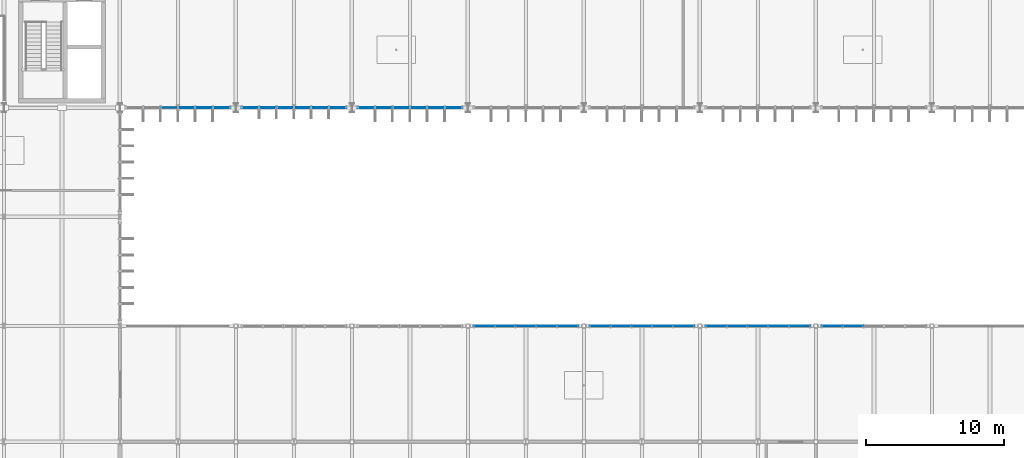
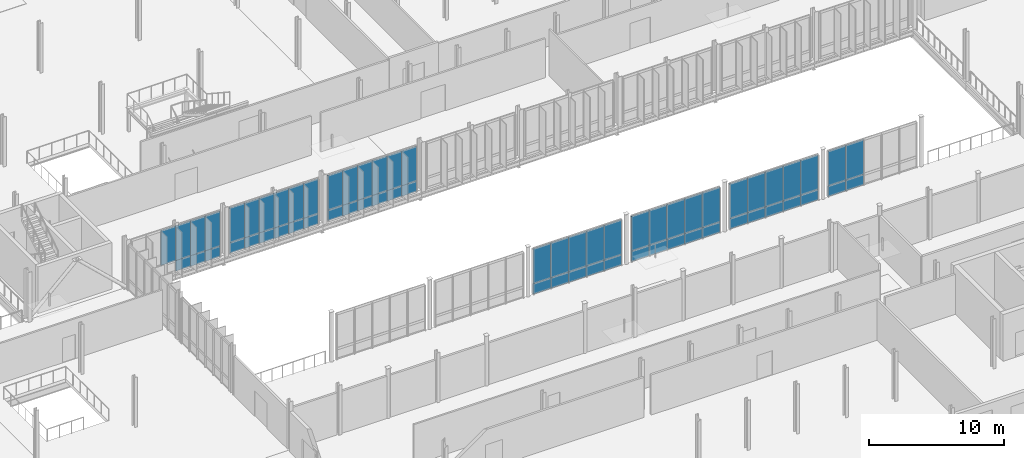
# One storey, part 88 of 139: 65 plates, 7 elements without a shape of their own.
"""IFC4 building model written with IfcOpenShell, lengths in metres."""

from ifc_helpers import new_model, si_unit, derived_unit, direction, frame, origin, origin_2d, place, context, subcontext, project, spatial, rectangle, extrude, material, layer, layer_set, type_object, element, aggregate, save


model = new_model("IFC4")

# Units and contexts
model_context = context("Model", 3, precision=1e-05, world=origin(), true_north=direction((0.0, 1.0)))
body_context = subcontext(model_context, "Body", "Model", "MODEL_VIEW")
ifc_project = project(units=[si_unit("LENGTHUNIT", "METRE"), si_unit("AREAUNIT", "SQUARE_METRE"), si_unit("VOLUMEUNIT", "CUBIC_METRE"), si_unit("PLANEANGLEUNIT", "RADIAN"), si_unit("MASSUNIT", "GRAM", prefix="KILO"), derived_unit("THERMALTRANSMITTANCEUNIT", [(si_unit("MASSUNIT", "GRAM", prefix="KILO"), 1), (si_unit("TIMEUNIT", "SECOND"), -3), (si_unit("THERMODYNAMICTEMPERATUREUNIT", "KELVIN"), -1)])], contexts=[model_context])

# Site, building, storey
site_placement = place(None, origin())
site = spatial("IfcSite", under=ifc_project, at=site_placement, CompositionType="ELEMENT")
building_placement = place(site_placement, origin())
building = spatial("IfcBuilding", under=site, at=building_placement, Name="Makaiwela Harbour Ferry Terminal", CompositionType="ELEMENT")
storey_placement = place(building_placement, frame((0.0, 0.0, 5.10009765625)))
storey = spatial("IfcBuildingStorey", under=building, at=storey_placement, Name="L01", CompositionType="ELEMENT", Elevation=5.10009765625)

# Curtain wall, plates
ifc_material_1 = material(Name="Marine anodised aluminium 6063-T6", Category="aluminium")
ifc_layer_1 = layer(ifc_material_1, 0.199951171875)
ifc_layer_set_1 = layer_set([ifc_layer_1], Name="Marine anodised aluminium 6063-T6")
curtain_wall_type = type_object("IfcCurtainWallType", Name="ENV-CW-08", PredefinedType="USERDEFINED", material=ifc_layer_set_1)
curtain_wall_1_placement = place(storey_placement, origin())
curtain_wall_1 = element("IfcCurtainWall", 1, at=curtain_wall_1_placement, inside=storey, type_object=curtain_wall_type, Name="Unitised Curtain Wall CWA-074", ObjectType="UNITIZED CURTAIN WALL", PredefinedType="USERDEFINED")
ifc_material_2 = material(Name="Laminated hurricane-impact low-E insulated glazing", Category="glass")
ifc_layer_2 = layer(ifc_material_2, 0.031982421875)
ifc_layer_set_2 = layer_set([ifc_layer_2], Name="Laminated hurricane-impact low-E insulated glazing")
plate_type_1 = type_object("IfcPlateType", Name="CW-PNL-G12", PredefinedType="CURTAIN_PANEL", material=ifc_layer_set_2)
plate_1_placement = place(storey_placement, frame((78.75, 49.39990234375, 0.949951171875), z_axis=(0.0, 0.0, 1.0), x_axis=(-1.0, 0.0, 0.0)))
plate_1 = element("IfcPlate", 2, at=plate_1_placement, type_object=plate_type_1, Name="Glazed Vision Panel CWA-074-1G", PredefinedType="CURTAIN_PANEL", context=body_context, shape_type="SweptSolid", body=[
    extrude(rectangle(XDim=1.260009765625, YDim=0.031982421875, at=origin_2d()), origin(), (0.0, 0.0, 1.0), 3.14990234375),
])
plate_2_placement = place(storey_placement, frame((77.489990234375, 49.39990234375, 0.949951171875), z_axis=(0.0, 0.0, 1.0), x_axis=(-1.0, 0.0, 0.0)))
plate_2 = element("IfcPlate", 3, at=plate_2_placement, type_object=plate_type_1, Name="Glazed Vision Panel CWA-074-2G", PredefinedType="CURTAIN_PANEL", context=body_context, shape_type="SweptSolid", body=[
    extrude(rectangle(XDim=1.260009765625, YDim=0.031982421875, at=origin_2d()), origin(), (0.0, 0.0, 1.0), 3.14990234375),
])
plate_3_placement = place(storey_placement, frame((76.22998046875, 49.39990234375, 0.949951171875), z_axis=(0.0, 0.0, 1.0), x_axis=(-1.0, 0.0, 0.0)))
plate_3 = element("IfcPlate", 4, at=plate_3_placement, type_object=plate_type_1, Name="Glazed Vision Panel CWA-074-3G", PredefinedType="CURTAIN_PANEL", context=body_context, shape_type="SweptSolid", body=[
    extrude(rectangle(XDim=1.260009765625, YDim=0.031982421875, at=origin_2d()), origin(), (0.0, 0.0, 1.0), 3.14990234375),
])
plate_4_placement = place(storey_placement, frame((74.969970703125, 49.39990234375, 0.949951171875), z_axis=(0.0, 0.0, 1.0), x_axis=(-1.0, 0.0, 0.0)))
plate_4 = element("IfcPlate", 5, at=plate_4_placement, type_object=plate_type_1, Name="Glazed Vision Panel CWA-074-4G", PredefinedType="CURTAIN_PANEL", context=body_context, shape_type="SweptSolid", body=[
    extrude(rectangle(XDim=1.260009765625, YDim=0.031982421875, at=origin_2d()), origin(), (0.0, 0.0, 1.0), 3.14990234375),
])

curtain_wall_2_placement = place(storey_placement, origin())
curtain_wall_2 = element("IfcCurtainWall", 6, at=curtain_wall_2_placement, inside=storey, type_object=curtain_wall_type, Name="Unitised Curtain Wall CWA-078", ObjectType="UNITIZED CURTAIN WALL", PredefinedType="USERDEFINED")
plate_5_placement = place(storey_placement, frame((87.14990234375, 49.39990234375, 0.949951171875), z_axis=(0.0, 0.0, 1.0), x_axis=(-1.0, 0.0, 0.0)))
plate_5 = element("IfcPlate", 7, at=plate_5_placement, type_object=plate_type_1, Name="Glazed Vision Panel CWA-078-1G", PredefinedType="CURTAIN_PANEL", context=body_context, shape_type="SweptSolid", body=[
    extrude(rectangle(XDim=1.260009765625, YDim=0.031982421875, at=origin_2d()), origin(), (0.0, 0.0, 1.0), 3.14990234375),
])
plate_6_placement = place(storey_placement, frame((85.889892578125, 49.39990234375, 0.949951171875), z_axis=(0.0, 0.0, 1.0), x_axis=(-1.0, 0.0, 0.0)))
plate_6 = element("IfcPlate", 8, at=plate_6_placement, type_object=plate_type_1, Name="Glazed Vision Panel CWA-078-2G", PredefinedType="CURTAIN_PANEL", context=body_context, shape_type="SweptSolid", body=[
    extrude(rectangle(XDim=1.260009765625, YDim=0.031982421875, at=origin_2d()), origin(), (0.0, 0.0, 1.0), 3.14990234375),
])
plate_7_placement = place(storey_placement, frame((84.6298828125, 49.39990234375, 0.949951171875), z_axis=(0.0, 0.0, 1.0), x_axis=(-1.0, 0.0, 0.0)))
plate_7 = element("IfcPlate", 9, at=plate_7_placement, type_object=plate_type_1, Name="Glazed Vision Panel CWA-078-3G", PredefinedType="CURTAIN_PANEL", context=body_context, shape_type="SweptSolid", body=[
    extrude(rectangle(XDim=1.260009765625, YDim=0.031982421875, at=origin_2d()), origin(), (0.0, 0.0, 1.0), 3.14990234375),
])
plate_8_placement = place(storey_placement, frame((83.3701171875, 49.39990234375, 0.949951171875), z_axis=(0.0, 0.0, 1.0), x_axis=(-1.0, 0.0, 0.0)))
plate_8 = element("IfcPlate", 10, at=plate_8_placement, type_object=plate_type_1, Name="Glazed Vision Panel CWA-078-4G", PredefinedType="CURTAIN_PANEL", context=body_context, shape_type="SweptSolid", body=[
    extrude(rectangle(XDim=1.260009765625, YDim=0.031982421875, at=origin_2d()), origin(), (0.0, 0.0, 1.0), 3.14990234375),
])
plate_9_placement = place(storey_placement, frame((82.110107421875, 49.39990234375, 0.949951171875), z_axis=(0.0, 0.0, 1.0), x_axis=(-1.0, 0.0, 0.0)))
plate_9 = element("IfcPlate", 11, at=plate_9_placement, type_object=plate_type_1, Name="Glazed Vision Panel CWA-078-5G", PredefinedType="CURTAIN_PANEL", context=body_context, shape_type="SweptSolid", body=[
    extrude(rectangle(XDim=1.260009765625, YDim=0.031982421875, at=origin_2d()), origin(), (0.0, 0.0, 1.0), 3.14990234375),
])
plate_10_placement = place(storey_placement, frame((80.85009765625, 49.39990234375, 0.949951171875), z_axis=(0.0, 0.0, 1.0), x_axis=(-1.0, 0.0, 0.0)))
plate_10 = element("IfcPlate", 12, at=plate_10_placement, type_object=plate_type_1, Name="Glazed Vision Panel CWA-078-6G", PredefinedType="CURTAIN_PANEL", context=body_context, shape_type="SweptSolid", body=[
    extrude(rectangle(XDim=1.260009765625, YDim=0.031982421875, at=origin_2d()), origin(), (0.0, 0.0, 1.0), 3.14990234375),
])

curtain_wall_3_placement = place(storey_placement, origin())
curtain_wall_3 = element("IfcCurtainWall", 13, at=curtain_wall_3_placement, inside=storey, type_object=curtain_wall_type, Name="Unitised Curtain Wall CWA-080", ObjectType="UNITIZED CURTAIN WALL", PredefinedType="USERDEFINED")
plate_11_placement = place(storey_placement, frame((95.550048828125, 49.39990234375, 0.949951171875), z_axis=(0.0, 0.0, 1.0), x_axis=(-1.0, 0.0, 0.0)))
plate_11 = element("IfcPlate", 14, at=plate_11_placement, type_object=plate_type_1, Name="Glazed Vision Panel CWA-080-1G", PredefinedType="CURTAIN_PANEL", context=body_context, shape_type="SweptSolid", body=[
    extrude(rectangle(XDim=1.260009765625, YDim=0.031982421875, at=origin_2d()), origin(), (0.0, 0.0, 1.0), 3.14990234375),
])
plate_12_placement = place(storey_placement, frame((94.2900390625, 49.39990234375, 0.949951171875), z_axis=(0.0, 0.0, 1.0), x_axis=(-1.0, 0.0, 0.0)))
plate_12 = element("IfcPlate", 15, at=plate_12_placement, type_object=plate_type_1, Name="Glazed Vision Panel CWA-080-2G", PredefinedType="CURTAIN_PANEL", context=body_context, shape_type="SweptSolid", body=[
    extrude(rectangle(XDim=1.260009765625, YDim=0.031982421875, at=origin_2d()), origin(), (0.0, 0.0, 1.0), 3.14990234375),
])
plate_13_placement = place(storey_placement, frame((93.030029296875, 49.39990234375, 0.949951171875), z_axis=(0.0, 0.0, 1.0), x_axis=(-1.0, 0.0, 0.0)))
plate_13 = element("IfcPlate", 16, at=plate_13_placement, type_object=plate_type_1, Name="Glazed Vision Panel CWA-080-3G", PredefinedType="CURTAIN_PANEL", context=body_context, shape_type="SweptSolid", body=[
    extrude(rectangle(XDim=1.260009765625, YDim=0.031982421875, at=origin_2d()), origin(), (0.0, 0.0, 1.0), 3.14990234375),
])
plate_14_placement = place(storey_placement, frame((91.77001953125, 49.39990234375, 0.949951171875), z_axis=(0.0, 0.0, 1.0), x_axis=(-1.0, 0.0, 0.0)))
plate_14 = element("IfcPlate", 17, at=plate_14_placement, type_object=plate_type_1, Name="Glazed Vision Panel CWA-080-4G", PredefinedType="CURTAIN_PANEL", context=body_context, shape_type="SweptSolid", body=[
    extrude(rectangle(XDim=1.260009765625, YDim=0.031982421875, at=origin_2d()), origin(), (0.0, 0.0, 1.0), 3.14990234375),
])
plate_15_placement = place(storey_placement, frame((90.510009765625, 49.39990234375, 0.949951171875), z_axis=(0.0, 0.0, 1.0), x_axis=(-1.0, 0.0, 0.0)))
plate_15 = element("IfcPlate", 18, at=plate_15_placement, type_object=plate_type_1, Name="Glazed Vision Panel CWA-080-5G", PredefinedType="CURTAIN_PANEL", context=body_context, shape_type="SweptSolid", body=[
    extrude(rectangle(XDim=1.260009765625, YDim=0.031982421875, at=origin_2d()), origin(), (0.0, 0.0, 1.0), 3.14990234375),
])
plate_16_placement = place(storey_placement, frame((89.25, 49.39990234375, 0.949951171875), z_axis=(0.0, 0.0, 1.0), x_axis=(-1.0, 0.0, 0.0)))
plate_16 = element("IfcPlate", 19, at=plate_16_placement, type_object=plate_type_1, Name="Glazed Vision Panel CWA-080-6G", PredefinedType="CURTAIN_PANEL", context=body_context, shape_type="SweptSolid", body=[
    extrude(rectangle(XDim=1.260009765625, YDim=0.031982421875, at=origin_2d()), origin(), (0.0, 0.0, 1.0), 3.14990234375),
])

curtain_wall_4_placement = place(storey_placement, origin())
curtain_wall_4 = element("IfcCurtainWall", 20, at=curtain_wall_4_placement, inside=storey, type_object=curtain_wall_type, Name="Unitised Curtain Wall CWA-145", ObjectType="UNITIZED CURTAIN WALL", PredefinedType="USERDEFINED")
ifc_layer_3 = layer(ifc_material_2, 0.031982421875)
ifc_layer_set_3 = layer_set([ifc_layer_3], Name="Laminated hurricane-impact low-E insulated glazing")
plate_type_2 = type_object("IfcPlateType", Name="CW-PNL-G32", PredefinedType="CURTAIN_PANEL", material=ifc_layer_set_3)
plate_17_placement = place(storey_placement, frame((103.823974609375, 33.60009765625, 0.949951171875), z_axis=(0.0, 0.0, 1.0), x_axis=(-1.0, 0.0, 0.0)))
plate_17 = element("IfcPlate", 21, at=plate_17_placement, type_object=plate_type_2, Name="Glazed Vision Panel CWA-145-1G", PredefinedType="CURTAIN_PANEL", context=body_context, shape_type="SweptSolid", body=[
    extrude(rectangle(XDim=1.511962890625, YDim=0.031982421875, at=origin_2d()), origin(), (0.0, 0.0, 1.0), 3.14990234375),
])
plate_18_placement = place(storey_placement, frame((102.31201171875, 33.60009765625, 0.949951171875), z_axis=(0.0, 0.0, 1.0), x_axis=(-1.0, 0.0, 0.0)))
plate_18 = element("IfcPlate", 22, at=plate_18_placement, type_object=plate_type_2, Name="Glazed Vision Panel CWA-145-2G", PredefinedType="CURTAIN_PANEL", context=body_context, shape_type="SweptSolid", body=[
    extrude(rectangle(XDim=1.511962890625, YDim=0.031982421875, at=origin_2d()), origin(), (0.0, 0.0, 1.0), 3.14990234375),
])
plate_19_placement = place(storey_placement, frame((100.800048828125, 33.60009765625, 0.949951171875), z_axis=(0.0, 0.0, 1.0), x_axis=(-1.0, 0.0, 0.0)))
plate_19 = element("IfcPlate", 23, at=plate_19_placement, type_object=plate_type_2, Name="Glazed Vision Panel CWA-145-3G", PredefinedType="CURTAIN_PANEL", context=body_context, shape_type="SweptSolid", body=[
    extrude(rectangle(XDim=1.511962890625, YDim=0.031982421875, at=origin_2d()), origin(), (0.0, 0.0, 1.0), 3.14990234375),
])
plate_20_placement = place(storey_placement, frame((99.2880859375, 33.60009765625, 0.949951171875), z_axis=(0.0, 0.0, 1.0), x_axis=(-1.0, 0.0, 0.0)))
plate_20 = element("IfcPlate", 24, at=plate_20_placement, type_object=plate_type_2, Name="Glazed Vision Panel CWA-145-4G", PredefinedType="CURTAIN_PANEL", context=body_context, shape_type="SweptSolid", body=[
    extrude(rectangle(XDim=1.511962890625, YDim=0.031982421875, at=origin_2d()), origin(), (0.0, 0.0, 1.0), 3.14990234375),
])
plate_21_placement = place(storey_placement, frame((97.77587890625, 33.60009765625, 0.949951171875), z_axis=(0.0, 0.0, 1.0), x_axis=(-1.0, 0.0, 0.0)))
plate_21 = element("IfcPlate", 25, at=plate_21_placement, type_object=plate_type_2, Name="Glazed Vision Panel CWA-145-5G", PredefinedType="CURTAIN_PANEL", context=body_context, shape_type="SweptSolid", body=[
    extrude(rectangle(XDim=1.511962890625, YDim=0.031982421875, at=origin_2d()), origin(), (0.0, 0.0, 1.0), 3.14990234375),
])

curtain_wall_5_placement = place(storey_placement, origin())
curtain_wall_5 = element("IfcCurtainWall", 26, at=curtain_wall_5_placement, inside=storey, type_object=curtain_wall_type, Name="Unitised Curtain Wall CWA-147", ObjectType="UNITIZED CURTAIN WALL", PredefinedType="USERDEFINED")
plate_22_placement = place(storey_placement, frame((112.22412109375, 33.60009765625, 0.949951171875), z_axis=(0.0, 0.0, 1.0), x_axis=(-1.0, 0.0, 0.0)))
plate_22 = element("IfcPlate", 27, at=plate_22_placement, type_object=plate_type_2, Name="Glazed Vision Panel CWA-147-1G", PredefinedType="CURTAIN_PANEL", context=body_context, shape_type="SweptSolid", body=[
    extrude(rectangle(XDim=1.511962890625, YDim=0.031982421875, at=origin_2d()), origin(), (0.0, 0.0, 1.0), 3.14990234375),
])
plate_23_placement = place(storey_placement, frame((110.7119140625, 33.60009765625, 0.949951171875), z_axis=(0.0, 0.0, 1.0), x_axis=(-1.0, 0.0, 0.0)))
plate_23 = element("IfcPlate", 28, at=plate_23_placement, type_object=plate_type_2, Name="Glazed Vision Panel CWA-147-2G", PredefinedType="CURTAIN_PANEL", context=body_context, shape_type="SweptSolid", body=[
    extrude(rectangle(XDim=1.511962890625, YDim=0.031982421875, at=origin_2d()), origin(), (0.0, 0.0, 1.0), 3.14990234375),
])
plate_24_placement = place(storey_placement, frame((109.199951171875, 33.60009765625, 0.949951171875), z_axis=(0.0, 0.0, 1.0), x_axis=(-1.0, 0.0, 0.0)))
plate_24 = element("IfcPlate", 29, at=plate_24_placement, type_object=plate_type_2, Name="Glazed Vision Panel CWA-147-3G", PredefinedType="CURTAIN_PANEL", context=body_context, shape_type="SweptSolid", body=[
    extrude(rectangle(XDim=1.511962890625, YDim=0.031982421875, at=origin_2d()), origin(), (0.0, 0.0, 1.0), 3.14990234375),
])
plate_25_placement = place(storey_placement, frame((107.68798828125, 33.60009765625, 0.949951171875), z_axis=(0.0, 0.0, 1.0), x_axis=(-1.0, 0.0, 0.0)))
plate_25 = element("IfcPlate", 30, at=plate_25_placement, type_object=plate_type_2, Name="Glazed Vision Panel CWA-147-4G", PredefinedType="CURTAIN_PANEL", context=body_context, shape_type="SweptSolid", body=[
    extrude(rectangle(XDim=1.511962890625, YDim=0.031982421875, at=origin_2d()), origin(), (0.0, 0.0, 1.0), 3.14990234375),
])
plate_26_placement = place(storey_placement, frame((106.176025390625, 33.60009765625, 0.949951171875), z_axis=(0.0, 0.0, 1.0), x_axis=(-1.0, 0.0, 0.0)))
plate_26 = element("IfcPlate", 31, at=plate_26_placement, type_object=plate_type_2, Name="Glazed Vision Panel CWA-147-5G", PredefinedType="CURTAIN_PANEL", context=body_context, shape_type="SweptSolid", body=[
    extrude(rectangle(XDim=1.511962890625, YDim=0.031982421875, at=origin_2d()), origin(), (0.0, 0.0, 1.0), 3.14990234375),
])

curtain_wall_6_placement = place(storey_placement, origin())
curtain_wall_6 = element("IfcCurtainWall", 32, at=curtain_wall_6_placement, inside=storey, type_object=curtain_wall_type, Name="Unitised Curtain Wall CWA-149", ObjectType="UNITIZED CURTAIN WALL", PredefinedType="USERDEFINED")
plate_27_placement = place(storey_placement, frame((120.6240234375, 33.60009765625, 0.949951171875), z_axis=(0.0, 0.0, 1.0), x_axis=(-1.0, 0.0, 0.0)))
plate_27 = element("IfcPlate", 33, at=plate_27_placement, type_object=plate_type_2, Name="Glazed Vision Panel CWA-149-1G", PredefinedType="CURTAIN_PANEL", context=body_context, shape_type="SweptSolid", body=[
    extrude(rectangle(XDim=1.511962890625, YDim=0.031982421875, at=origin_2d()), origin(), (0.0, 0.0, 1.0), 3.14990234375),
])
plate_28_placement = place(storey_placement, frame((119.112060546875, 33.60009765625, 0.949951171875), z_axis=(0.0, 0.0, 1.0), x_axis=(-1.0, 0.0, 0.0)))
plate_28 = element("IfcPlate", 34, at=plate_28_placement, type_object=plate_type_2, Name="Glazed Vision Panel CWA-149-2G", PredefinedType="CURTAIN_PANEL", context=body_context, shape_type="SweptSolid", body=[
    extrude(rectangle(XDim=1.511962890625, YDim=0.031982421875, at=origin_2d()), origin(), (0.0, 0.0, 1.0), 3.14990234375),
])
plate_29_placement = place(storey_placement, frame((117.60009765625, 33.60009765625, 0.949951171875), z_axis=(0.0, 0.0, 1.0), x_axis=(-1.0, 0.0, 0.0)))
plate_29 = element("IfcPlate", 35, at=plate_29_placement, type_object=plate_type_2, Name="Glazed Vision Panel CWA-149-3G", PredefinedType="CURTAIN_PANEL", context=body_context, shape_type="SweptSolid", body=[
    extrude(rectangle(XDim=1.511962890625, YDim=0.031982421875, at=origin_2d()), origin(), (0.0, 0.0, 1.0), 3.14990234375),
])
plate_30_placement = place(storey_placement, frame((116.087890625, 33.60009765625, 0.949951171875), z_axis=(0.0, 0.0, 1.0), x_axis=(-1.0, 0.0, 0.0)))
plate_30 = element("IfcPlate", 36, at=plate_30_placement, type_object=plate_type_2, Name="Glazed Vision Panel CWA-149-4G", PredefinedType="CURTAIN_PANEL", context=body_context, shape_type="SweptSolid", body=[
    extrude(rectangle(XDim=1.511962890625, YDim=0.031982421875, at=origin_2d()), origin(), (0.0, 0.0, 1.0), 3.14990234375),
])
plate_31_placement = place(storey_placement, frame((114.575927734375, 33.60009765625, 0.949951171875), z_axis=(0.0, 0.0, 1.0), x_axis=(-1.0, 0.0, 0.0)))
plate_31 = element("IfcPlate", 37, at=plate_31_placement, type_object=plate_type_2, Name="Glazed Vision Panel CWA-149-5G", PredefinedType="CURTAIN_PANEL", context=body_context, shape_type="SweptSolid", body=[
    extrude(rectangle(XDim=1.511962890625, YDim=0.031982421875, at=origin_2d()), origin(), (0.0, 0.0, 1.0), 3.14990234375),
])

curtain_wall_7_placement = place(storey_placement, origin())
curtain_wall_7 = element("IfcCurtainWall", 38, at=curtain_wall_7_placement, inside=storey, type_object=curtain_wall_type, Name="Unitised Curtain Wall CWA-151", ObjectType="UNITIZED CURTAIN WALL", PredefinedType="USERDEFINED")
plate_32_placement = place(storey_placement, frame((124.488037109375, 33.60009765625, 0.949951171875), z_axis=(0.0, 0.0, 1.0), x_axis=(-1.0, 0.0, 0.0)))
plate_32 = element("IfcPlate", 39, at=plate_32_placement, type_object=plate_type_2, Name="Glazed Vision Panel CWA-151-4G", PredefinedType="CURTAIN_PANEL", context=body_context, shape_type="SweptSolid", body=[
    extrude(rectangle(XDim=1.511962890625, YDim=0.031982421875, at=origin_2d()), origin(), (0.0, 0.0, 1.0), 3.14990234375),
])
plate_33_placement = place(storey_placement, frame((122.97607421875, 33.60009765625, 0.949951171875), z_axis=(0.0, 0.0, 1.0), x_axis=(-1.0, 0.0, 0.0)))
plate_33 = element("IfcPlate", 40, at=plate_33_placement, type_object=plate_type_2, Name="Glazed Vision Panel CWA-151-5G", PredefinedType="CURTAIN_PANEL", context=body_context, shape_type="SweptSolid", body=[
    extrude(rectangle(XDim=1.511962890625, YDim=0.031982421875, at=origin_2d()), origin(), (0.0, 0.0, 1.0), 3.14990234375),
])

# Plate
ifc_material_3 = material(Name="Insulated marine aluminium spandrel panel", Category="aluminium")
ifc_layer_4 = layer(ifc_material_3, 0.048095703125)
ifc_layer_set_4 = layer_set([ifc_layer_4], Name="Insulated marine aluminium spandrel panel")
plate_type_3 = type_object("IfcPlateType", Name="CW-PNL-S11", PredefinedType="CURTAIN_PANEL", material=ifc_layer_set_4)
plate_34_placement = place(storey_placement, frame((78.75, 49.39990234375, 0.0), z_axis=(0.0, 0.0, 1.0), x_axis=(-1.0, 0.0, 0.0)))
plate_34 = element("IfcPlate", 41, at=plate_34_placement, type_object=plate_type_3, Name="Spandrel Panel CWA-074-1S", PredefinedType="CURTAIN_PANEL", context=body_context, shape_type="SweptSolid", body=[
    extrude(rectangle(XDim=1.260009765625, YDim=0.048095703125, at=origin_2d()), origin(), (0.0, 0.0, 1.0), 0.949951171875),
])

plate_35_placement = place(storey_placement, frame((77.489990234375, 49.39990234375, 0.0), z_axis=(0.0, 0.0, 1.0), x_axis=(-1.0, 0.0, 0.0)))
plate_35 = element("IfcPlate", 42, at=plate_35_placement, type_object=plate_type_3, Name="Spandrel Panel CWA-074-2S", PredefinedType="CURTAIN_PANEL", context=body_context, shape_type="SweptSolid", body=[
    extrude(rectangle(XDim=1.260009765625, YDim=0.048095703125, at=origin_2d()), origin(), (0.0, 0.0, 1.0), 0.949951171875),
])

plate_36_placement = place(storey_placement, frame((76.22998046875, 49.39990234375, 0.0), z_axis=(0.0, 0.0, 1.0), x_axis=(-1.0, 0.0, 0.0)))
plate_36 = element("IfcPlate", 43, at=plate_36_placement, type_object=plate_type_3, Name="Spandrel Panel CWA-074-3S", PredefinedType="CURTAIN_PANEL", context=body_context, shape_type="SweptSolid", body=[
    extrude(rectangle(XDim=1.260009765625, YDim=0.048095703125, at=origin_2d()), origin(), (0.0, 0.0, 1.0), 0.949951171875),
])

aggregate(curtain_wall_1, [plate_34, plate_1, plate_35, plate_2, plate_36, plate_3, plate_4])

plate_37_placement = place(storey_placement, frame((87.14990234375, 49.39990234375, 0.0), z_axis=(0.0, 0.0, 1.0), x_axis=(-1.0, 0.0, 0.0)))
plate_37 = element("IfcPlate", 44, at=plate_37_placement, type_object=plate_type_3, Name="Spandrel Panel CWA-078-1S", PredefinedType="CURTAIN_PANEL", context=body_context, shape_type="SweptSolid", body=[
    extrude(rectangle(XDim=1.260009765625, YDim=0.048095703125, at=origin_2d()), origin(), (0.0, 0.0, 1.0), 0.949951171875),
])

plate_38_placement = place(storey_placement, frame((85.889892578125, 49.39990234375, 0.0), z_axis=(0.0, 0.0, 1.0), x_axis=(-1.0, 0.0, 0.0)))
plate_38 = element("IfcPlate", 45, at=plate_38_placement, type_object=plate_type_3, Name="Spandrel Panel CWA-078-2S", PredefinedType="CURTAIN_PANEL", context=body_context, shape_type="SweptSolid", body=[
    extrude(rectangle(XDim=1.260009765625, YDim=0.048095703125, at=origin_2d()), origin(), (0.0, 0.0, 1.0), 0.949951171875),
])

plate_39_placement = place(storey_placement, frame((84.6298828125, 49.39990234375, 0.0), z_axis=(0.0, 0.0, 1.0), x_axis=(-1.0, 0.0, 0.0)))
plate_39 = element("IfcPlate", 46, at=plate_39_placement, type_object=plate_type_3, Name="Spandrel Panel CWA-078-3S", PredefinedType="CURTAIN_PANEL", context=body_context, shape_type="SweptSolid", body=[
    extrude(rectangle(XDim=1.260009765625, YDim=0.048095703125, at=origin_2d()), origin(), (0.0, 0.0, 1.0), 0.949951171875),
])

plate_40_placement = place(storey_placement, frame((83.3701171875, 49.39990234375, 0.0), z_axis=(0.0, 0.0, 1.0), x_axis=(-1.0, 0.0, 0.0)))
plate_40 = element("IfcPlate", 47, at=plate_40_placement, type_object=plate_type_3, Name="Spandrel Panel CWA-078-4S", PredefinedType="CURTAIN_PANEL", context=body_context, shape_type="SweptSolid", body=[
    extrude(rectangle(XDim=1.260009765625, YDim=0.048095703125, at=origin_2d()), origin(), (0.0, 0.0, 1.0), 0.949951171875),
])

plate_41_placement = place(storey_placement, frame((82.110107421875, 49.39990234375, 0.0), z_axis=(0.0, 0.0, 1.0), x_axis=(-1.0, 0.0, 0.0)))
plate_41 = element("IfcPlate", 48, at=plate_41_placement, type_object=plate_type_3, Name="Spandrel Panel CWA-078-5S", PredefinedType="CURTAIN_PANEL", context=body_context, shape_type="SweptSolid", body=[
    extrude(rectangle(XDim=1.260009765625, YDim=0.048095703125, at=origin_2d()), origin(), (0.0, 0.0, 1.0), 0.949951171875),
])

plate_42_placement = place(storey_placement, frame((80.85009765625, 49.39990234375, 0.0), z_axis=(0.0, 0.0, 1.0), x_axis=(-1.0, 0.0, 0.0)))
plate_42 = element("IfcPlate", 49, at=plate_42_placement, type_object=plate_type_3, Name="Spandrel Panel CWA-078-6S", PredefinedType="CURTAIN_PANEL", context=body_context, shape_type="SweptSolid", body=[
    extrude(rectangle(XDim=1.260009765625, YDim=0.048095703125, at=origin_2d()), origin(), (0.0, 0.0, 1.0), 0.949951171875),
])

aggregate(curtain_wall_2, [plate_37, plate_5, plate_38, plate_6, plate_39, plate_7, plate_40, plate_8, plate_41, plate_9, plate_42, plate_10])

plate_43_placement = place(storey_placement, frame((95.550048828125, 49.39990234375, 0.0), z_axis=(0.0, 0.0, 1.0), x_axis=(-1.0, 0.0, 0.0)))
plate_43 = element("IfcPlate", 50, at=plate_43_placement, type_object=plate_type_3, Name="Spandrel Panel CWA-080-1S", PredefinedType="CURTAIN_PANEL", context=body_context, shape_type="SweptSolid", body=[
    extrude(rectangle(XDim=1.260009765625, YDim=0.048095703125, at=origin_2d()), origin(), (0.0, 0.0, 1.0), 0.949951171875),
])

plate_44_placement = place(storey_placement, frame((94.2900390625, 49.39990234375, 0.0), z_axis=(0.0, 0.0, 1.0), x_axis=(-1.0, 0.0, 0.0)))
plate_44 = element("IfcPlate", 51, at=plate_44_placement, type_object=plate_type_3, Name="Spandrel Panel CWA-080-2S", PredefinedType="CURTAIN_PANEL", context=body_context, shape_type="SweptSolid", body=[
    extrude(rectangle(XDim=1.260009765625, YDim=0.048095703125, at=origin_2d()), origin(), (0.0, 0.0, 1.0), 0.949951171875),
])

plate_45_placement = place(storey_placement, frame((93.030029296875, 49.39990234375, 0.0), z_axis=(0.0, 0.0, 1.0), x_axis=(-1.0, 0.0, 0.0)))
plate_45 = element("IfcPlate", 52, at=plate_45_placement, type_object=plate_type_3, Name="Spandrel Panel CWA-080-3S", PredefinedType="CURTAIN_PANEL", context=body_context, shape_type="SweptSolid", body=[
    extrude(rectangle(XDim=1.260009765625, YDim=0.048095703125, at=origin_2d()), origin(), (0.0, 0.0, 1.0), 0.949951171875),
])

plate_46_placement = place(storey_placement, frame((91.77001953125, 49.39990234375, 0.0), z_axis=(0.0, 0.0, 1.0), x_axis=(-1.0, 0.0, 0.0)))
plate_46 = element("IfcPlate", 53, at=plate_46_placement, type_object=plate_type_3, Name="Spandrel Panel CWA-080-4S", PredefinedType="CURTAIN_PANEL", context=body_context, shape_type="SweptSolid", body=[
    extrude(rectangle(XDim=1.260009765625, YDim=0.048095703125, at=origin_2d()), origin(), (0.0, 0.0, 1.0), 0.949951171875),
])

plate_47_placement = place(storey_placement, frame((90.510009765625, 49.39990234375, 0.0), z_axis=(0.0, 0.0, 1.0), x_axis=(-1.0, 0.0, 0.0)))
plate_47 = element("IfcPlate", 54, at=plate_47_placement, type_object=plate_type_3, Name="Spandrel Panel CWA-080-5S", PredefinedType="CURTAIN_PANEL", context=body_context, shape_type="SweptSolid", body=[
    extrude(rectangle(XDim=1.260009765625, YDim=0.048095703125, at=origin_2d()), origin(), (0.0, 0.0, 1.0), 0.949951171875),
])

plate_48_placement = place(storey_placement, frame((89.25, 49.39990234375, 0.0), z_axis=(0.0, 0.0, 1.0), x_axis=(-1.0, 0.0, 0.0)))
plate_48 = element("IfcPlate", 55, at=plate_48_placement, type_object=plate_type_3, Name="Spandrel Panel CWA-080-6S", PredefinedType="CURTAIN_PANEL", context=body_context, shape_type="SweptSolid", body=[
    extrude(rectangle(XDim=1.260009765625, YDim=0.048095703125, at=origin_2d()), origin(), (0.0, 0.0, 1.0), 0.949951171875),
])

aggregate(curtain_wall_3, [plate_43, plate_11, plate_44, plate_12, plate_45, plate_13, plate_46, plate_14, plate_47, plate_15, plate_48, plate_16])

ifc_layer_5 = layer(ifc_material_3, 0.048095703125)
ifc_layer_set_5 = layer_set([ifc_layer_5], Name="Insulated marine aluminium spandrel panel")
plate_type_4 = type_object("IfcPlateType", Name="CW-PNL-S30", PredefinedType="CURTAIN_PANEL", material=ifc_layer_set_5)
plate_49_placement = place(storey_placement, frame((103.823974609375, 33.60009765625, 0.0), z_axis=(0.0, 0.0, 1.0), x_axis=(-1.0, 0.0, 0.0)))
plate_49 = element("IfcPlate", 56, at=plate_49_placement, type_object=plate_type_4, Name="Spandrel Panel CWA-145-1S", PredefinedType="CURTAIN_PANEL", context=body_context, shape_type="SweptSolid", body=[
    extrude(rectangle(XDim=1.511962890625, YDim=0.048095703125, at=origin_2d()), origin(), (0.0, 0.0, 1.0), 0.949951171875),
])

plate_50_placement = place(storey_placement, frame((102.31201171875, 33.60009765625, 0.0), z_axis=(0.0, 0.0, 1.0), x_axis=(-1.0, 0.0, 0.0)))
plate_50 = element("IfcPlate", 57, at=plate_50_placement, type_object=plate_type_4, Name="Spandrel Panel CWA-145-2S", PredefinedType="CURTAIN_PANEL", context=body_context, shape_type="SweptSolid", body=[
    extrude(rectangle(XDim=1.511962890625, YDim=0.048095703125, at=origin_2d()), origin(), (0.0, 0.0, 1.0), 0.949951171875),
])

plate_51_placement = place(storey_placement, frame((100.800048828125, 33.60009765625, 0.0), z_axis=(0.0, 0.0, 1.0), x_axis=(-1.0, 0.0, 0.0)))
plate_51 = element("IfcPlate", 58, at=plate_51_placement, type_object=plate_type_4, Name="Spandrel Panel CWA-145-3S", PredefinedType="CURTAIN_PANEL", context=body_context, shape_type="SweptSolid", body=[
    extrude(rectangle(XDim=1.511962890625, YDim=0.048095703125, at=origin_2d()), origin(), (0.0, 0.0, 1.0), 0.949951171875),
])

plate_52_placement = place(storey_placement, frame((99.2880859375, 33.60009765625, 0.0), z_axis=(0.0, 0.0, 1.0), x_axis=(-1.0, 0.0, 0.0)))
plate_52 = element("IfcPlate", 59, at=plate_52_placement, type_object=plate_type_4, Name="Spandrel Panel CWA-145-4S", PredefinedType="CURTAIN_PANEL", context=body_context, shape_type="SweptSolid", body=[
    extrude(rectangle(XDim=1.511962890625, YDim=0.048095703125, at=origin_2d()), origin(), (0.0, 0.0, 1.0), 0.949951171875),
])

plate_53_placement = place(storey_placement, frame((97.77587890625, 33.60009765625, 0.0), z_axis=(0.0, 0.0, 1.0), x_axis=(-1.0, 0.0, 0.0)))
plate_53 = element("IfcPlate", 60, at=plate_53_placement, type_object=plate_type_4, Name="Spandrel Panel CWA-145-5S", PredefinedType="CURTAIN_PANEL", context=body_context, shape_type="SweptSolid", body=[
    extrude(rectangle(XDim=1.511962890625, YDim=0.048095703125, at=origin_2d()), origin(), (0.0, 0.0, 1.0), 0.949951171875),
])

aggregate(curtain_wall_4, [plate_49, plate_17, plate_50, plate_18, plate_51, plate_19, plate_52, plate_20, plate_53, plate_21])

plate_54_placement = place(storey_placement, frame((112.22412109375, 33.60009765625, 0.0), z_axis=(0.0, 0.0, 1.0), x_axis=(-1.0, 0.0, 0.0)))
plate_54 = element("IfcPlate", 61, at=plate_54_placement, type_object=plate_type_4, Name="Spandrel Panel CWA-147-1S", PredefinedType="CURTAIN_PANEL", context=body_context, shape_type="SweptSolid", body=[
    extrude(rectangle(XDim=1.511962890625, YDim=0.048095703125, at=origin_2d()), origin(), (0.0, 0.0, 1.0), 0.949951171875),
])

plate_55_placement = place(storey_placement, frame((110.7119140625, 33.60009765625, 0.0), z_axis=(0.0, 0.0, 1.0), x_axis=(-1.0, 0.0, 0.0)))
plate_55 = element("IfcPlate", 62, at=plate_55_placement, type_object=plate_type_4, Name="Spandrel Panel CWA-147-2S", PredefinedType="CURTAIN_PANEL", context=body_context, shape_type="SweptSolid", body=[
    extrude(rectangle(XDim=1.511962890625, YDim=0.048095703125, at=origin_2d()), origin(), (0.0, 0.0, 1.0), 0.949951171875),
])

plate_56_placement = place(storey_placement, frame((109.199951171875, 33.60009765625, 0.0), z_axis=(0.0, 0.0, 1.0), x_axis=(-1.0, 0.0, 0.0)))
plate_56 = element("IfcPlate", 63, at=plate_56_placement, type_object=plate_type_4, Name="Spandrel Panel CWA-147-3S", PredefinedType="CURTAIN_PANEL", context=body_context, shape_type="SweptSolid", body=[
    extrude(rectangle(XDim=1.511962890625, YDim=0.048095703125, at=origin_2d()), origin(), (0.0, 0.0, 1.0), 0.949951171875),
])

plate_57_placement = place(storey_placement, frame((107.68798828125, 33.60009765625, 0.0), z_axis=(0.0, 0.0, 1.0), x_axis=(-1.0, 0.0, 0.0)))
plate_57 = element("IfcPlate", 64, at=plate_57_placement, type_object=plate_type_4, Name="Spandrel Panel CWA-147-4S", PredefinedType="CURTAIN_PANEL", context=body_context, shape_type="SweptSolid", body=[
    extrude(rectangle(XDim=1.511962890625, YDim=0.048095703125, at=origin_2d()), origin(), (0.0, 0.0, 1.0), 0.949951171875),
])

plate_58_placement = place(storey_placement, frame((106.176025390625, 33.60009765625, 0.0), z_axis=(0.0, 0.0, 1.0), x_axis=(-1.0, 0.0, 0.0)))
plate_58 = element("IfcPlate", 65, at=plate_58_placement, type_object=plate_type_4, Name="Spandrel Panel CWA-147-5S", PredefinedType="CURTAIN_PANEL", context=body_context, shape_type="SweptSolid", body=[
    extrude(rectangle(XDim=1.511962890625, YDim=0.048095703125, at=origin_2d()), origin(), (0.0, 0.0, 1.0), 0.949951171875),
])

aggregate(curtain_wall_5, [plate_54, plate_22, plate_55, plate_23, plate_56, plate_24, plate_57, plate_25, plate_58, plate_26])

plate_59_placement = place(storey_placement, frame((120.6240234375, 33.60009765625, 0.0), z_axis=(0.0, 0.0, 1.0), x_axis=(-1.0, 0.0, 0.0)))
plate_59 = element("IfcPlate", 66, at=plate_59_placement, type_object=plate_type_4, Name="Spandrel Panel CWA-149-1S", PredefinedType="CURTAIN_PANEL", context=body_context, shape_type="SweptSolid", body=[
    extrude(rectangle(XDim=1.511962890625, YDim=0.048095703125, at=origin_2d()), origin(), (0.0, 0.0, 1.0), 0.949951171875),
])

plate_60_placement = place(storey_placement, frame((119.112060546875, 33.60009765625, 0.0), z_axis=(0.0, 0.0, 1.0), x_axis=(-1.0, 0.0, 0.0)))
plate_60 = element("IfcPlate", 67, at=plate_60_placement, type_object=plate_type_4, Name="Spandrel Panel CWA-149-2S", PredefinedType="CURTAIN_PANEL", context=body_context, shape_type="SweptSolid", body=[
    extrude(rectangle(XDim=1.511962890625, YDim=0.048095703125, at=origin_2d()), origin(), (0.0, 0.0, 1.0), 0.949951171875),
])

plate_61_placement = place(storey_placement, frame((117.60009765625, 33.60009765625, 0.0), z_axis=(0.0, 0.0, 1.0), x_axis=(-1.0, 0.0, 0.0)))
plate_61 = element("IfcPlate", 68, at=plate_61_placement, type_object=plate_type_4, Name="Spandrel Panel CWA-149-3S", PredefinedType="CURTAIN_PANEL", context=body_context, shape_type="SweptSolid", body=[
    extrude(rectangle(XDim=1.511962890625, YDim=0.048095703125, at=origin_2d()), origin(), (0.0, 0.0, 1.0), 0.949951171875),
])

plate_62_placement = place(storey_placement, frame((116.087890625, 33.60009765625, 0.0), z_axis=(0.0, 0.0, 1.0), x_axis=(-1.0, 0.0, 0.0)))
plate_62 = element("IfcPlate", 69, at=plate_62_placement, type_object=plate_type_4, Name="Spandrel Panel CWA-149-4S", PredefinedType="CURTAIN_PANEL", context=body_context, shape_type="SweptSolid", body=[
    extrude(rectangle(XDim=1.511962890625, YDim=0.048095703125, at=origin_2d()), origin(), (0.0, 0.0, 1.0), 0.949951171875),
])

plate_63_placement = place(storey_placement, frame((114.575927734375, 33.60009765625, 0.0), z_axis=(0.0, 0.0, 1.0), x_axis=(-1.0, 0.0, 0.0)))
plate_63 = element("IfcPlate", 70, at=plate_63_placement, type_object=plate_type_4, Name="Spandrel Panel CWA-149-5S", PredefinedType="CURTAIN_PANEL", context=body_context, shape_type="SweptSolid", body=[
    extrude(rectangle(XDim=1.511962890625, YDim=0.048095703125, at=origin_2d()), origin(), (0.0, 0.0, 1.0), 0.949951171875),
])

aggregate(curtain_wall_6, [plate_59, plate_27, plate_60, plate_28, plate_61, plate_29, plate_62, plate_30, plate_63, plate_31])

plate_64_placement = place(storey_placement, frame((124.488037109375, 33.60009765625, 0.0), z_axis=(0.0, 0.0, 1.0), x_axis=(-1.0, 0.0, 0.0)))
plate_64 = element("IfcPlate", 71, at=plate_64_placement, type_object=plate_type_4, Name="Spandrel Panel CWA-151-4S", PredefinedType="CURTAIN_PANEL", context=body_context, shape_type="SweptSolid", body=[
    extrude(rectangle(XDim=1.511962890625, YDim=0.048095703125, at=origin_2d()), origin(), (0.0, 0.0, 1.0), 0.949951171875),
])

plate_65_placement = place(storey_placement, frame((122.97607421875, 33.60009765625, 0.0), z_axis=(0.0, 0.0, 1.0), x_axis=(-1.0, 0.0, 0.0)))
plate_65 = element("IfcPlate", 72, at=plate_65_placement, type_object=plate_type_4, Name="Spandrel Panel CWA-151-5S", PredefinedType="CURTAIN_PANEL", context=body_context, shape_type="SweptSolid", body=[
    extrude(rectangle(XDim=1.511962890625, YDim=0.048095703125, at=origin_2d()), origin(), (0.0, 0.0, 1.0), 0.949951171875),
])

aggregate(curtain_wall_7, [plate_64, plate_32, plate_65, plate_33])

save(model, "model.ifc")
